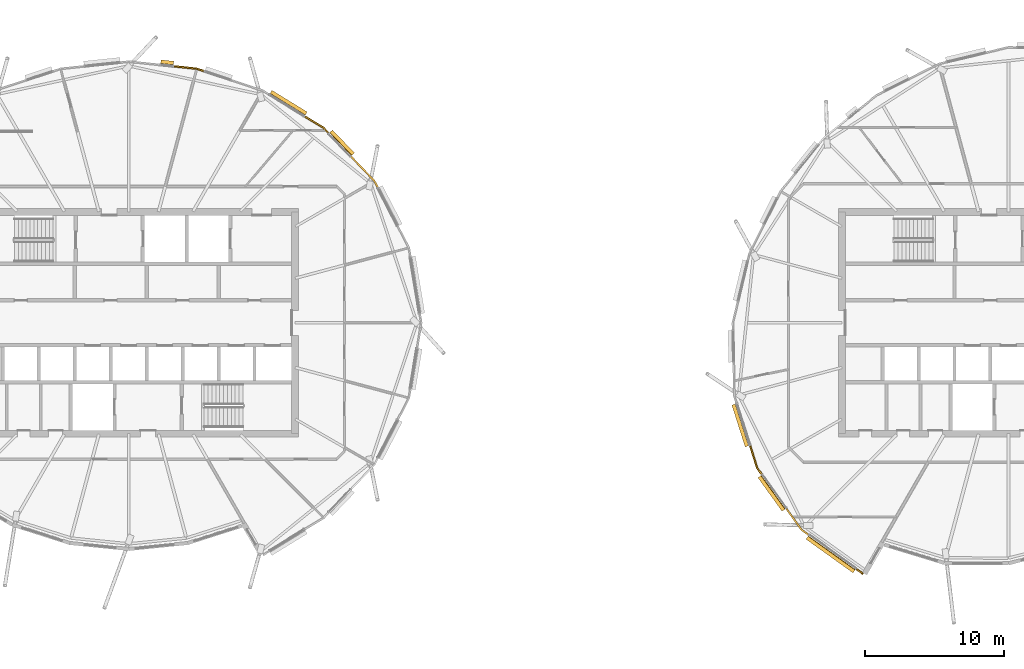
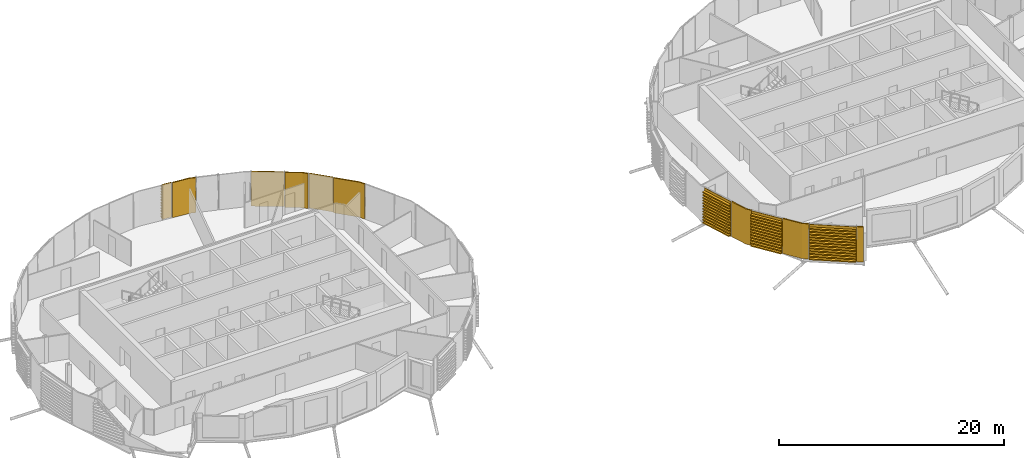
# One storey, part 38 of 41: 12 coverings.
"""IFC4 building model written with IfcOpenShell, lengths in metres."""

from ifc_helpers import new_model, si_unit, direction, frame, origin, place, context, subcontext, project, spatial, polyline, outline, extrude, material, layer, layer_set, material_profile, profile_set, type_object, element, save


model = new_model("IFC4")

# Units and contexts
model_context = context("Model", 3, precision=1e-05, world=origin(), true_north=direction((0.0, 1.0)))
body_context = subcontext(model_context, "Body", "Model", "MODEL_VIEW")
ifc_project = project(units=[si_unit("LENGTHUNIT", "METRE"), si_unit("AREAUNIT", "SQUARE_METRE"), si_unit("VOLUMEUNIT", "CUBIC_METRE"), si_unit("PLANEANGLEUNIT", "RADIAN"), si_unit("MASSUNIT", "GRAM", prefix="KILO")], contexts=[model_context])

# Site, building, storey
site_placement = place(None, origin())
site = spatial("IfcSite", under=ifc_project, at=site_placement, CompositionType="ELEMENT")
building_placement = place(site_placement, origin())
building = spatial("IfcBuilding", under=site, at=building_placement, Name="Rimbun Link Towers", CompositionType="ELEMENT")
storey_placement = place(building_placement, frame((0.0, 0.0, 214.300048828125)))
storey = spatial("IfcBuildingStorey", under=building, at=storey_placement, Name="L52", CompositionType="ELEMENT", Elevation=214.300048828125)

# Coverings
ifc_material_1 = material(Name="Terracotta", Category="masonry")
ifc_layer = layer(ifc_material_1, 0.1201171875)
ifc_layer_set = layer_set([ifc_layer], Name="LINK PIER terracotta cladding 120")
covering_type_1 = type_object("IfcCoveringType", Name="LINK PIER terracotta cladding 120", PredefinedType="CLADDING", material=ifc_layer_set)
covering_1_placement = place(storey_placement, origin())
element("IfcCovering", 1, at=covering_1_placement, inside=storey, type_object=covering_type_1, Name="LINK PIER cladding", PredefinedType="CLADDING", context=body_context, shape_type="SweptSolid", body=[
    extrude(outline(polyline([(-15.739990234375, 11.957275390625), (-14.065185546875, 10.21044921875), (-13.826171875, 9.74853515625), (-13.719482421875, 9.8037109375), (-13.966552734375, 10.281005859375), (-15.6533203125, 12.040283203125), (-15.739990234375, 11.957275390625)])), origin(), (0.0, 0.0, 1.0), 3.800048828125),
])
covering_2_placement = place(storey_placement, origin())
element("IfcCovering", 2, at=covering_2_placement, inside=storey, type_object=covering_type_1, Name="LINK PIER cladding", PredefinedType="CLADDING", context=body_context, shape_type="SweptSolid", body=[
    extrude(outline(polyline([(-19.0615234375, 14.847900390625), (-17.7236328125, 14.0263671875), (-17.36376953125, 13.651123046875), (-17.277099609375, 13.734130859375), (-17.647705078125, 14.12060546875), (-18.998779296875, 14.9501953125), (-19.0615234375, 14.847900390625)])), origin(), (0.0, 0.0, 1.0), 3.800048828125),
])
covering_3_placement = place(storey_placement, origin())
element("IfcCovering", 3, at=covering_3_placement, inside=storey, type_object=covering_type_1, Name="LINK PIER cladding", PredefinedType="CLADDING", context=body_context, shape_type="SweptSolid", body=[
    extrude(outline(polyline([(-28.510498046875, 18.462646484375), (-26.849853515625, 18.28759765625), (-26.308837890625, 18.1083984375), (-26.27099609375, 18.222412109375), (-26.824462890625, 18.40576171875), (-28.498046875, 18.58203125), (-28.510498046875, 18.462646484375)])), origin(), (0.0, 0.0, 1.0), 3.800048828125),
])
covering_4_placement = place(storey_placement, origin())
element("IfcCovering", 4, at=covering_4_placement, inside=storey, type_object=covering_type_1, Name="LINK PIER cladding", PredefinedType="CLADDING", context=body_context, shape_type="SweptSolid", body=[
    extrude(outline(polyline([(13.9970703125, -10.904541015625), (13.664794921875, -10.44140625), (13.15869140625, -8.85009765625), (13.04443359375, -8.886474609375), (13.55615234375, -10.49609375), (13.899658203125, -10.974609375), (13.9970703125, -10.904541015625)])), origin(), (0.0, 0.0, 1.0), 3.800048828125),
])
covering_5_placement = place(storey_placement, origin())
element("IfcCovering", 5, at=covering_5_placement, inside=storey, type_object=covering_type_1, Name="LINK PIER cladding", PredefinedType="CLADDING", context=body_context, shape_type="SweptSolid", body=[
    extrude(outline(polyline([(21.2841796875, -18.067626953125), (20.8046875, -17.7236328125), (20.73486328125, -17.8212890625), (21.214111328125, -18.165283203125), (21.2841796875, -18.067626953125)])), origin(), (0.0, 0.0, 1.0), 3.800048828125),
])
covering_6_placement = place(storey_placement, origin())
element("IfcCovering", 6, at=covering_6_placement, inside=storey, type_object=covering_type_1, Name="LINK PIER cladding", PredefinedType="CLADDING", context=body_context, shape_type="SweptSolid", body=[
    extrude(outline(polyline([(17.36181640625, -15.253173828125), (16.858154296875, -14.891845703125), (15.76806640625, -13.37255859375), (15.67041015625, -13.4423828125), (16.772216796875, -14.977783203125), (17.2919921875, -15.350830078125), (17.36181640625, -15.253173828125)])), origin(), (0.0, 0.0, 1.0), 3.800048828125),
])
ifc_material_2 = material(Name="Terracotta", Category="masonry")
ifc_material_profile = material_profile(ifc_material_2, outline(polyline([(0.123046875, 0.0), (0.1630859375, 0.0), (0.1630859375, 0.10009765625), (0.423095703125, 0.10009765625), (0.423095703125, 0.219970703125), (0.1630859375, 0.219970703125), (0.1630859375, 0.39990234375), (0.423095703125, 0.39990234375), (0.423095703125, 0.52001953125), (0.1630859375, 0.52001953125), (0.1630859375, 0.699951171875), (0.423095703125, 0.699951171875), (0.423095703125, 0.820068359375), (0.1630859375, 0.820068359375), (0.1630859375, 1.0), (0.423095703125, 1.0), (0.423095703125, 1.1201171875), (0.1630859375, 1.1201171875), (0.1630859375, 1.300048828125), (0.423095703125, 1.300048828125), (0.423095703125, 1.419921875), (0.1630859375, 1.419921875), (0.1630859375, 1.60009765625), (0.423095703125, 1.60009765625), (0.423095703125, 1.719970703125), (0.1630859375, 1.719970703125), (0.1630859375, 1.89990234375), (0.423095703125, 1.89990234375), (0.423095703125, 2.02001953125), (0.1630859375, 2.02001953125), (0.1630859375, 2.199951171875), (0.423095703125, 2.199951171875), (0.423095703125, 2.320068359375), (0.1630859375, 2.320068359375), (0.1630859375, 2.5), (0.423095703125, 2.5), (0.423095703125, 2.6201171875), (0.1630859375, 2.6201171875), (0.1630859375, 2.800048828125), (0.423095703125, 2.800048828125), (0.423095703125, 2.919921875), (0.1630859375, 2.919921875), (0.1630859375, 3.10009765625), (0.423095703125, 3.10009765625), (0.423095703125, 3.219970703125), (0.1630859375, 3.219970703125), (0.1630859375, 3.39990234375), (0.423095703125, 3.39990234375), (0.423095703125, 3.52001953125), (0.1630859375, 3.52001953125), (0.1630859375, 3.800048828125), (0.123046875, 3.800048828125), (0.123046875, 0.0)])), Name="BAGUETTE 120X300")
ifc_profile_set = profile_set([ifc_material_profile], Name="Terracotta")
covering_type_2 = type_object("IfcCoveringType", Name="TERRACOTTA BAGUETTE 120X300 H3800", PredefinedType="CLADDING", material=ifc_profile_set)
covering_7_placement = place(storey_placement, frame((-17.343017578125, 13.62939453125, 0.0), z_axis=(0.692053780348, -0.721845942779, 0.0), x_axis=(0.721845942779, 0.692053780348, 0.0)))
element("IfcCovering", 7, at=covering_7_placement, inside=storey, type_object=covering_type_2, Name="TERRACOTTA BAGUETTE", PredefinedType="CLADDING", context=body_context, shape_type="SweptSolid", body=[
    extrude(outline(polyline([(0.123046875, 0.0), (0.1630859375, 0.0), (0.1630859375, 0.10009765625), (0.423095703125, 0.10009765625), (0.423095703125, 0.219970703125), (0.1630859375, 0.219970703125), (0.1630859375, 0.39990234375), (0.423095703125, 0.39990234375), (0.423095703125, 0.52001953125), (0.1630859375, 0.52001953125), (0.1630859375, 0.699951171875), (0.423095703125, 0.699951171875), (0.423095703125, 0.820068359375), (0.1630859375, 0.820068359375), (0.1630859375, 1.0), (0.423095703125, 1.0), (0.423095703125, 1.1201171875), (0.1630859375, 1.1201171875), (0.1630859375, 1.300048828125), (0.423095703125, 1.300048828125), (0.423095703125, 1.419921875), (0.1630859375, 1.419921875), (0.1630859375, 1.60009765625), (0.423095703125, 1.60009765625), (0.423095703125, 1.719970703125), (0.1630859375, 1.719970703125), (0.1630859375, 1.89990234375), (0.423095703125, 1.89990234375), (0.423095703125, 2.02001953125), (0.1630859375, 2.02001953125), (0.1630859375, 2.199951171875), (0.423095703125, 2.199951171875), (0.423095703125, 2.320068359375), (0.1630859375, 2.320068359375), (0.1630859375, 2.5), (0.423095703125, 2.5), (0.423095703125, 2.6201171875), (0.1630859375, 2.6201171875), (0.1630859375, 2.800048828125), (0.423095703125, 2.800048828125), (0.423095703125, 2.919921875), (0.1630859375, 2.919921875), (0.1630859375, 3.10009765625), (0.423095703125, 3.10009765625), (0.423095703125, 3.219970703125), (0.1630859375, 3.219970703125), (0.1630859375, 3.39990234375), (0.423095703125, 3.39990234375), (0.423095703125, 3.52001953125), (0.1630859375, 3.52001953125), (0.1630859375, 3.800048828125), (0.123046875, 3.800048828125), (0.123046875, 0.0)])), origin(), (0.0, 0.0, 1.0), 2.286376953125),
])
covering_8_placement = place(storey_placement, frame((-21.631591796875, 16.426025390625, 0.0), z_axis=(0.852152035837, -0.523294284145, 0.0), x_axis=(0.523294284145, 0.852152035837, 0.0)))
element("IfcCovering", 8, at=covering_8_placement, inside=storey, type_object=covering_type_2, Name="TERRACOTTA BAGUETTE", PredefinedType="CLADDING", context=body_context, shape_type="SweptSolid", body=[
    extrude(outline(polyline([(0.123046875, 0.0), (0.1630859375, 0.0), (0.1630859375, 0.10009765625), (0.423095703125, 0.10009765625), (0.423095703125, 0.219970703125), (0.1630859375, 0.219970703125), (0.1630859375, 0.39990234375), (0.423095703125, 0.39990234375), (0.423095703125, 0.52001953125), (0.1630859375, 0.52001953125), (0.1630859375, 0.699951171875), (0.423095703125, 0.699951171875), (0.423095703125, 0.820068359375), (0.1630859375, 0.820068359375), (0.1630859375, 1.0), (0.423095703125, 1.0), (0.423095703125, 1.1201171875), (0.1630859375, 1.1201171875), (0.1630859375, 1.300048828125), (0.423095703125, 1.300048828125), (0.423095703125, 1.419921875), (0.1630859375, 1.419921875), (0.1630859375, 1.60009765625), (0.423095703125, 1.60009765625), (0.423095703125, 1.719970703125), (0.1630859375, 1.719970703125), (0.1630859375, 1.89990234375), (0.423095703125, 1.89990234375), (0.423095703125, 2.02001953125), (0.1630859375, 2.02001953125), (0.1630859375, 2.199951171875), (0.423095703125, 2.199951171875), (0.423095703125, 2.320068359375), (0.1630859375, 2.320068359375), (0.1630859375, 2.5), (0.423095703125, 2.5), (0.423095703125, 2.6201171875), (0.1630859375, 2.6201171875), (0.1630859375, 2.800048828125), (0.423095703125, 2.800048828125), (0.423095703125, 2.919921875), (0.1630859375, 2.919921875), (0.1630859375, 3.10009765625), (0.423095703125, 3.10009765625), (0.423095703125, 3.219970703125), (0.1630859375, 3.219970703125), (0.1630859375, 3.39990234375), (0.423095703125, 3.39990234375), (0.423095703125, 3.52001953125), (0.1630859375, 3.52001953125), (0.1630859375, 3.800048828125), (0.123046875, 3.800048828125), (0.123046875, 0.0)])), origin(), (0.0, 0.0, 1.0), 2.98583984375),
])
covering_9_placement = place(storey_placement, frame((-29.462646484375, 18.562744140625, 0.0), z_axis=(0.994521312223, -0.104534011372, 0.0), x_axis=(0.104534011372, 0.994521312223, 0.0)))
element("IfcCovering", 9, at=covering_9_placement, inside=storey, type_object=covering_type_2, Name="TERRACOTTA BAGUETTE", PredefinedType="CLADDING", context=body_context, shape_type="SweptSolid", body=[
    extrude(outline(polyline([(0.123046875, 0.0), (0.1630859375, 0.0), (0.1630859375, 0.10009765625), (0.423095703125, 0.10009765625), (0.423095703125, 0.219970703125), (0.1630859375, 0.219970703125), (0.1630859375, 0.39990234375), (0.423095703125, 0.39990234375), (0.423095703125, 0.52001953125), (0.1630859375, 0.52001953125), (0.1630859375, 0.699951171875), (0.423095703125, 0.699951171875), (0.423095703125, 0.820068359375), (0.1630859375, 0.820068359375), (0.1630859375, 1.0), (0.423095703125, 1.0), (0.423095703125, 1.1201171875), (0.1630859375, 1.1201171875), (0.1630859375, 1.300048828125), (0.423095703125, 1.300048828125), (0.423095703125, 1.419921875), (0.1630859375, 1.419921875), (0.1630859375, 1.60009765625), (0.423095703125, 1.60009765625), (0.423095703125, 1.719970703125), (0.1630859375, 1.719970703125), (0.1630859375, 1.89990234375), (0.423095703125, 1.89990234375), (0.423095703125, 2.02001953125), (0.1630859375, 2.02001953125), (0.1630859375, 2.199951171875), (0.423095703125, 2.199951171875), (0.423095703125, 2.320068359375), (0.1630859375, 2.320068359375), (0.1630859375, 2.5), (0.423095703125, 2.5), (0.423095703125, 2.6201171875), (0.1630859375, 2.6201171875), (0.1630859375, 2.800048828125), (0.423095703125, 2.800048828125), (0.423095703125, 2.919921875), (0.1630859375, 2.919921875), (0.1630859375, 3.10009765625), (0.423095703125, 3.10009765625), (0.423095703125, 3.219970703125), (0.1630859375, 3.219970703125), (0.1630859375, 3.39990234375), (0.423095703125, 3.39990234375), (0.423095703125, 3.52001953125), (0.1630859375, 3.52001953125), (0.1630859375, 3.800048828125), (0.123046875, 3.800048828125), (0.123046875, 0.0)])), origin(), (0.0, 0.0, 1.0), 0.92724609375),
])
covering_10_placement = place(storey_placement, frame((13.149658203125, -8.821533203125, 0.0), z_axis=(-0.303082508307, 0.952964318932, 0.0), x_axis=(-0.952964318932, -0.303082508307, 0.0)))
element("IfcCovering", 10, at=covering_10_placement, inside=storey, type_object=covering_type_2, Name="TERRACOTTA BAGUETTE", PredefinedType="CLADDING", context=body_context, shape_type="SweptSolid", body=[
    extrude(outline(polyline([(0.123046875, 0.0), (0.1630859375, 0.0), (0.1630859375, 0.10009765625), (0.423095703125, 0.10009765625), (0.423095703125, 0.219970703125), (0.1630859375, 0.219970703125), (0.1630859375, 0.39990234375), (0.423095703125, 0.39990234375), (0.423095703125, 0.52001953125), (0.1630859375, 0.52001953125), (0.1630859375, 0.699951171875), (0.423095703125, 0.699951171875), (0.423095703125, 0.820068359375), (0.1630859375, 0.820068359375), (0.1630859375, 1.0), (0.423095703125, 1.0), (0.423095703125, 1.1201171875), (0.1630859375, 1.1201171875), (0.1630859375, 1.300048828125), (0.423095703125, 1.300048828125), (0.423095703125, 1.419921875), (0.1630859375, 1.419921875), (0.1630859375, 1.60009765625), (0.423095703125, 1.60009765625), (0.423095703125, 1.719970703125), (0.1630859375, 1.719970703125), (0.1630859375, 1.89990234375), (0.423095703125, 1.89990234375), (0.423095703125, 2.02001953125), (0.1630859375, 2.02001953125), (0.1630859375, 2.199951171875), (0.423095703125, 2.199951171875), (0.423095703125, 2.320068359375), (0.1630859375, 2.320068359375), (0.1630859375, 2.5), (0.423095703125, 2.5), (0.423095703125, 2.6201171875), (0.1630859375, 2.6201171875), (0.1630859375, 2.800048828125), (0.423095703125, 2.800048828125), (0.423095703125, 2.919921875), (0.1630859375, 2.919921875), (0.1630859375, 3.10009765625), (0.423095703125, 3.10009765625), (0.423095703125, 3.219970703125), (0.1630859375, 3.219970703125), (0.1630859375, 3.39990234375), (0.423095703125, 3.39990234375), (0.423095703125, 3.52001953125), (0.1630859375, 3.52001953125), (0.1630859375, 3.800048828125), (0.123046875, 3.800048828125), (0.123046875, 0.0)])), origin(), (0.0, 0.0, 1.0), 3.160888671875),
])
covering_11_placement = place(storey_placement, frame((15.75048828125, -13.34814453125, 0.0), z_axis=(-0.582982013592, 0.812485059449, 0.0), x_axis=(-0.812485059449, -0.582982013592, 0.0)))
element("IfcCovering", 11, at=covering_11_placement, inside=storey, type_object=covering_type_2, Name="TERRACOTTA BAGUETTE", PredefinedType="CLADDING", context=body_context, shape_type="SweptSolid", body=[
    extrude(outline(polyline([(0.123046875, 0.0), (0.1630859375, 0.0), (0.1630859375, 0.10009765625), (0.423095703125, 0.10009765625), (0.423095703125, 0.219970703125), (0.1630859375, 0.219970703125), (0.1630859375, 0.39990234375), (0.423095703125, 0.39990234375), (0.423095703125, 0.52001953125), (0.1630859375, 0.52001953125), (0.1630859375, 0.699951171875), (0.423095703125, 0.699951171875), (0.423095703125, 0.820068359375), (0.1630859375, 0.820068359375), (0.1630859375, 1.0), (0.423095703125, 1.0), (0.423095703125, 1.1201171875), (0.1630859375, 1.1201171875), (0.1630859375, 1.300048828125), (0.423095703125, 1.300048828125), (0.423095703125, 1.419921875), (0.1630859375, 1.419921875), (0.1630859375, 1.60009765625), (0.423095703125, 1.60009765625), (0.423095703125, 1.719970703125), (0.1630859375, 1.719970703125), (0.1630859375, 1.89990234375), (0.423095703125, 1.89990234375), (0.423095703125, 2.02001953125), (0.1630859375, 2.02001953125), (0.1630859375, 2.199951171875), (0.423095703125, 2.199951171875), (0.423095703125, 2.320068359375), (0.1630859375, 2.320068359375), (0.1630859375, 2.5), (0.423095703125, 2.5), (0.423095703125, 2.6201171875), (0.1630859375, 2.6201171875), (0.1630859375, 2.800048828125), (0.423095703125, 2.800048828125), (0.423095703125, 2.919921875), (0.1630859375, 2.919921875), (0.1630859375, 3.10009765625), (0.423095703125, 3.10009765625), (0.423095703125, 3.219970703125), (0.1630859375, 3.219970703125), (0.1630859375, 3.39990234375), (0.423095703125, 3.39990234375), (0.423095703125, 3.52001953125), (0.1630859375, 3.52001953125), (0.1630859375, 3.800048828125), (0.123046875, 3.800048828125), (0.123046875, 0.0)])), origin(), (0.0, 0.0, 1.0), 2.9775390625),
])
covering_12_placement = place(storey_placement, frame((20.7802734375, -17.706298828125, 0.0), z_axis=(-0.8124600168, 0.583016913221, 0.0), x_axis=(-0.583016913221, -0.8124600168, 0.0)))
element("IfcCovering", 12, at=covering_12_placement, inside=storey, type_object=covering_type_2, Name="TERRACOTTA BAGUETTE", PredefinedType="CLADDING", context=body_context, shape_type="SweptSolid", body=[
    extrude(outline(polyline([(0.123046875, 0.0), (0.1630859375, 0.0), (0.1630859375, 0.10009765625), (0.423095703125, 0.10009765625), (0.423095703125, 0.219970703125), (0.1630859375, 0.219970703125), (0.1630859375, 0.39990234375), (0.423095703125, 0.39990234375), (0.423095703125, 0.52001953125), (0.1630859375, 0.52001953125), (0.1630859375, 0.699951171875), (0.423095703125, 0.699951171875), (0.423095703125, 0.820068359375), (0.1630859375, 0.820068359375), (0.1630859375, 1.0), (0.423095703125, 1.0), (0.423095703125, 1.1201171875), (0.1630859375, 1.1201171875), (0.1630859375, 1.300048828125), (0.423095703125, 1.300048828125), (0.423095703125, 1.419921875), (0.1630859375, 1.419921875), (0.1630859375, 1.60009765625), (0.423095703125, 1.60009765625), (0.423095703125, 1.719970703125), (0.1630859375, 1.719970703125), (0.1630859375, 1.89990234375), (0.423095703125, 1.89990234375), (0.423095703125, 2.02001953125), (0.1630859375, 2.02001953125), (0.1630859375, 2.199951171875), (0.423095703125, 2.199951171875), (0.423095703125, 2.320068359375), (0.1630859375, 2.320068359375), (0.1630859375, 2.5), (0.423095703125, 2.5), (0.423095703125, 2.6201171875), (0.1630859375, 2.6201171875), (0.1630859375, 2.800048828125), (0.423095703125, 2.800048828125), (0.423095703125, 2.919921875), (0.1630859375, 2.919921875), (0.1630859375, 3.10009765625), (0.423095703125, 3.10009765625), (0.423095703125, 3.219970703125), (0.1630859375, 3.219970703125), (0.1630859375, 3.39990234375), (0.423095703125, 3.39990234375), (0.423095703125, 3.52001953125), (0.1630859375, 3.52001953125), (0.1630859375, 3.800048828125), (0.123046875, 3.800048828125), (0.123046875, 0.0)])), origin(), (0.0, 0.0, 1.0), 4.177490234375),
])

save(model, "model.ifc")
